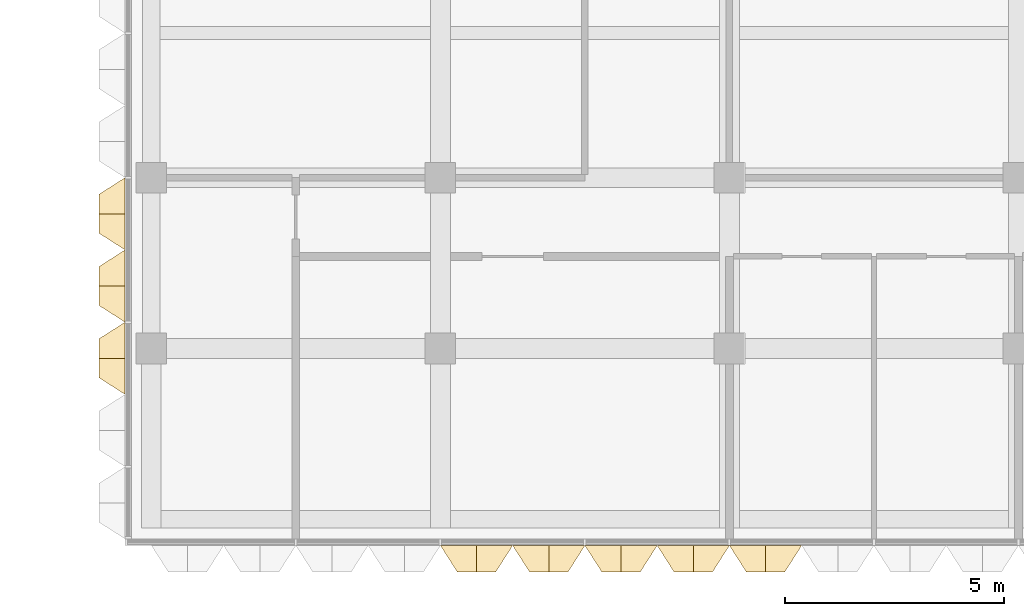
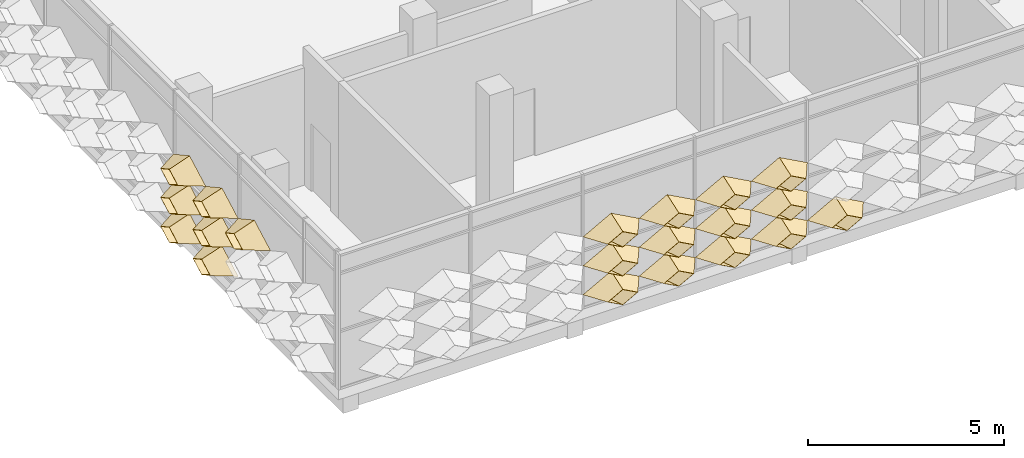
# One storey, part 32 of 61: 20 coverings.
"""IFC4 building model written with IfcOpenShell, lengths in metres."""

from ifc_helpers import new_model, entity, si_unit, direction, frame, origin, place, context, subcontext, project, spatial, material, layer, layer_set, type_object, element, save


model = new_model("IFC4")

# Units and contexts
model_context = context("Model", 3, precision=1e-05, world=origin(), true_north=direction((0.0, 1.0)))
body_context = subcontext(model_context, "Body", "Model", "MODEL_VIEW")
ifc_project = project(units=[si_unit("LENGTHUNIT", "METRE"), si_unit("AREAUNIT", "SQUARE_METRE"), si_unit("VOLUMEUNIT", "CUBIC_METRE"), si_unit("PLANEANGLEUNIT", "RADIAN"), si_unit("MASSUNIT", "GRAM", prefix="KILO")], contexts=[model_context])

# Site, building, storey
site_placement = place(None, origin())
site = spatial("IfcSite", under=ifc_project, at=site_placement, CompositionType="ELEMENT")
building_placement = place(site_placement, origin())
building = spatial("IfcBuilding", under=site, at=building_placement, Name="Lantern Court Research Institute", CompositionType="ELEMENT")
storey_placement = place(building_placement, frame((0.0, 0.0, 23.39990234375)))
storey = spatial("IfcBuildingStorey", under=building, at=storey_placement, Name="L05", CompositionType="ELEMENT", Elevation=23.39990234375)

# Coverings
ifc_material = material(Name="Anodised aluminium", Category="aluminium")
ifc_layer = layer(ifc_material, 0.01611328125)
ifc_layer_set = layer_set([ifc_layer], Name="Anodised aluminium")
covering_type = type_object("IfcCoveringType", Name="Fin cassette 1650 x 900 x 600 aluminium", PredefinedType="CLADDING", material=ifc_layer_set)
covering_1_placement = place(storey_placement, frame((7.425048828125, -8.39990234375, 0.4501953125), z_axis=(0.0, -1.0, 0.0), x_axis=(1.0, 0.0, 0.0)))
cartesian_point_1 = entity("IfcCartesianPoint", [0.824951171875, 0.0])
cartesian_point_2 = entity("IfcCartesianPoint", [0.79150390625, 0.0])
cartesian_point_3 = entity("IfcCartesianPoint", [0.44189453125, 0.0])
cartesian_point_4 = entity("IfcCartesianPoint", [0.43359375, 0.0])
element("IfcCovering", 1, at=covering_1_placement, inside=storey, type_object=covering_type, Name="Fin cassette V4S-L05 1.5", PredefinedType="CLADDING", context=body_context, shape_type="SweptSolid", body=[
    entity("IfcExtrudedAreaSolidTapered", entity("IfcArbitraryProfileDefWithVoids", "AREA", None, entity("IfcPolyline", [cartesian_point_1, entity("IfcCartesianPoint", [0.0, 0.449951171875]), entity("IfcCartesianPoint", [-0.824951171875, 0.0]), entity("IfcCartesianPoint", [0.0, -0.449951171875]), cartesian_point_1]), [entity("IfcPolyline", [cartesian_point_2, entity("IfcCartesianPoint", [0.0, 0.431884765625]), entity("IfcCartesianPoint", [-0.79150390625, 0.0]), entity("IfcCartesianPoint", [0.0, -0.431884765625]), cartesian_point_2])]), entity("IfcAxis2Placement3D", entity("IfcCartesianPoint", [0.0, 0.0, 0.0])), entity("IfcDirection", [0.0, 0.0, 1.0]), 0.60009765625, entity("IfcArbitraryProfileDefWithVoids", "AREA", None, entity("IfcPolyline", [cartesian_point_3, entity("IfcCartesianPoint", [0.0, 0.240966796875]), entity("IfcCartesianPoint", [-0.44189453125, 0.0]), entity("IfcCartesianPoint", [0.0, -0.240966796875]), cartesian_point_3]), [entity("IfcPolyline", [cartesian_point_4, entity("IfcCartesianPoint", [0.0, 0.236572265625]), entity("IfcCartesianPoint", [-0.43359375, 0.0]), entity("IfcCartesianPoint", [0.0, -0.236572265625]), cartesian_point_4])])),
])
covering_2_placement = place(storey_placement, frame((9.074951171875, -8.39990234375, 0.4501953125), z_axis=(0.0, -1.0, 0.0), x_axis=(1.0, 0.0, 0.0)))
cartesian_point_5 = entity("IfcCartesianPoint", [0.824951171875, 0.0])
cartesian_point_6 = entity("IfcCartesianPoint", [0.79150390625, 0.0])
cartesian_point_7 = entity("IfcCartesianPoint", [0.44189453125, 0.0])
cartesian_point_8 = entity("IfcCartesianPoint", [0.43359375, 0.0])
element("IfcCovering", 2, at=covering_2_placement, inside=storey, type_object=covering_type, Name="Fin cassette V4S-L05 1.6", PredefinedType="CLADDING", context=body_context, shape_type="SweptSolid", body=[
    entity("IfcExtrudedAreaSolidTapered", entity("IfcArbitraryProfileDefWithVoids", "AREA", None, entity("IfcPolyline", [cartesian_point_5, entity("IfcCartesianPoint", [0.0, 0.449951171875]), entity("IfcCartesianPoint", [-0.824951171875, 0.0]), entity("IfcCartesianPoint", [0.0, -0.449951171875]), cartesian_point_5]), [entity("IfcPolyline", [cartesian_point_6, entity("IfcCartesianPoint", [0.0, 0.431884765625]), entity("IfcCartesianPoint", [-0.79150390625, 0.0]), entity("IfcCartesianPoint", [0.0, -0.431884765625]), cartesian_point_6])]), entity("IfcAxis2Placement3D", entity("IfcCartesianPoint", [0.0, 0.0, 0.0])), entity("IfcDirection", [0.0, 0.0, 1.0]), 0.60009765625, entity("IfcArbitraryProfileDefWithVoids", "AREA", None, entity("IfcPolyline", [cartesian_point_7, entity("IfcCartesianPoint", [0.0, 0.240966796875]), entity("IfcCartesianPoint", [-0.44189453125, 0.0]), entity("IfcCartesianPoint", [0.0, -0.240966796875]), cartesian_point_7]), [entity("IfcPolyline", [cartesian_point_8, entity("IfcCartesianPoint", [0.0, 0.236572265625]), entity("IfcCartesianPoint", [-0.43359375, 0.0]), entity("IfcCartesianPoint", [0.0, -0.236572265625]), cartesian_point_8])])),
])
covering_3_placement = place(storey_placement, frame((10.72509765625, -8.39990234375, 0.4501953125), z_axis=(0.0, -1.0, 0.0), x_axis=(1.0, 0.0, 0.0)))
cartesian_point_9 = entity("IfcCartesianPoint", [0.824951171875, 0.0])
cartesian_point_10 = entity("IfcCartesianPoint", [0.79150390625, 0.0])
cartesian_point_11 = entity("IfcCartesianPoint", [0.44189453125, 0.0])
cartesian_point_12 = entity("IfcCartesianPoint", [0.43359375, 0.0])
element("IfcCovering", 3, at=covering_3_placement, inside=storey, type_object=covering_type, Name="Fin cassette V4S-L05 1.7", PredefinedType="CLADDING", context=body_context, shape_type="SweptSolid", body=[
    entity("IfcExtrudedAreaSolidTapered", entity("IfcArbitraryProfileDefWithVoids", "AREA", None, entity("IfcPolyline", [cartesian_point_9, entity("IfcCartesianPoint", [0.0, 0.449951171875]), entity("IfcCartesianPoint", [-0.824951171875, 0.0]), entity("IfcCartesianPoint", [0.0, -0.449951171875]), cartesian_point_9]), [entity("IfcPolyline", [cartesian_point_10, entity("IfcCartesianPoint", [0.0, 0.431884765625]), entity("IfcCartesianPoint", [-0.79150390625, 0.0]), entity("IfcCartesianPoint", [0.0, -0.431884765625]), cartesian_point_10])]), entity("IfcAxis2Placement3D", entity("IfcCartesianPoint", [0.0, 0.0, 0.0])), entity("IfcDirection", [0.0, 0.0, 1.0]), 0.60009765625, entity("IfcArbitraryProfileDefWithVoids", "AREA", None, entity("IfcPolyline", [cartesian_point_11, entity("IfcCartesianPoint", [0.0, 0.240966796875]), entity("IfcCartesianPoint", [-0.44189453125, 0.0]), entity("IfcCartesianPoint", [0.0, -0.240966796875]), cartesian_point_11]), [entity("IfcPolyline", [cartesian_point_12, entity("IfcCartesianPoint", [0.0, 0.236572265625]), entity("IfcCartesianPoint", [-0.43359375, 0.0]), entity("IfcCartesianPoint", [0.0, -0.236572265625]), cartesian_point_12])])),
])
covering_4_placement = place(storey_placement, frame((12.375, -8.39990234375, 0.4501953125), z_axis=(0.0, -1.0, 0.0), x_axis=(1.0, 0.0, 0.0)))
cartesian_point_13 = entity("IfcCartesianPoint", [0.824951171875, 0.0])
cartesian_point_14 = entity("IfcCartesianPoint", [0.79150390625, 0.0])
cartesian_point_15 = entity("IfcCartesianPoint", [0.44189453125, 0.0])
cartesian_point_16 = entity("IfcCartesianPoint", [0.43359375, 0.0])
element("IfcCovering", 4, at=covering_4_placement, inside=storey, type_object=covering_type, Name="Fin cassette V4S-L05 1.8", PredefinedType="CLADDING", context=body_context, shape_type="SweptSolid", body=[
    entity("IfcExtrudedAreaSolidTapered", entity("IfcArbitraryProfileDefWithVoids", "AREA", None, entity("IfcPolyline", [cartesian_point_13, entity("IfcCartesianPoint", [0.0, 0.449951171875]), entity("IfcCartesianPoint", [-0.824951171875, 0.0]), entity("IfcCartesianPoint", [0.0, -0.449951171875]), cartesian_point_13]), [entity("IfcPolyline", [cartesian_point_14, entity("IfcCartesianPoint", [0.0, 0.431884765625]), entity("IfcCartesianPoint", [-0.79150390625, 0.0]), entity("IfcCartesianPoint", [0.0, -0.431884765625]), cartesian_point_14])]), entity("IfcAxis2Placement3D", entity("IfcCartesianPoint", [0.0, 0.0, 0.0])), entity("IfcDirection", [0.0, 0.0, 1.0]), 0.60009765625, entity("IfcArbitraryProfileDefWithVoids", "AREA", None, entity("IfcPolyline", [cartesian_point_15, entity("IfcCartesianPoint", [0.0, 0.240966796875]), entity("IfcCartesianPoint", [-0.44189453125, 0.0]), entity("IfcCartesianPoint", [0.0, -0.240966796875]), cartesian_point_15]), [entity("IfcPolyline", [cartesian_point_16, entity("IfcCartesianPoint", [0.0, 0.236572265625]), entity("IfcCartesianPoint", [-0.43359375, 0.0]), entity("IfcCartesianPoint", [0.0, -0.236572265625]), cartesian_point_16])])),
])
covering_5_placement = place(storey_placement, frame((14.02490234375, -8.39990234375, 0.4501953125), z_axis=(0.0, -1.0, 0.0), x_axis=(1.0, 0.0, 0.0)))
cartesian_point_17 = entity("IfcCartesianPoint", [0.824951171875, 0.0])
cartesian_point_18 = entity("IfcCartesianPoint", [0.79150390625, 0.0])
cartesian_point_19 = entity("IfcCartesianPoint", [0.44189453125, 0.0])
cartesian_point_20 = entity("IfcCartesianPoint", [0.43359375, 0.0])
element("IfcCovering", 5, at=covering_5_placement, inside=storey, type_object=covering_type, Name="Fin cassette V4S-L05 1.9", PredefinedType="CLADDING", context=body_context, shape_type="SweptSolid", body=[
    entity("IfcExtrudedAreaSolidTapered", entity("IfcArbitraryProfileDefWithVoids", "AREA", None, entity("IfcPolyline", [cartesian_point_17, entity("IfcCartesianPoint", [0.0, 0.449951171875]), entity("IfcCartesianPoint", [-0.824951171875, 0.0]), entity("IfcCartesianPoint", [0.0, -0.449951171875]), cartesian_point_17]), [entity("IfcPolyline", [cartesian_point_18, entity("IfcCartesianPoint", [0.0, 0.431884765625]), entity("IfcCartesianPoint", [-0.79150390625, 0.0]), entity("IfcCartesianPoint", [0.0, -0.431884765625]), cartesian_point_18])]), entity("IfcAxis2Placement3D", entity("IfcCartesianPoint", [0.0, 0.0, 0.0])), entity("IfcDirection", [0.0, 0.0, 1.0]), 0.60009765625, entity("IfcArbitraryProfileDefWithVoids", "AREA", None, entity("IfcPolyline", [cartesian_point_19, entity("IfcCartesianPoint", [0.0, 0.240966796875]), entity("IfcCartesianPoint", [-0.44189453125, 0.0]), entity("IfcCartesianPoint", [0.0, -0.240966796875]), cartesian_point_19]), [entity("IfcPolyline", [cartesian_point_20, entity("IfcCartesianPoint", [0.0, 0.236572265625]), entity("IfcCartesianPoint", [-0.43359375, 0.0]), entity("IfcCartesianPoint", [0.0, -0.236572265625]), cartesian_point_20])])),
])
covering_6_placement = place(storey_placement, frame((7.425048828125, -8.39990234375, 1.35009765625), z_axis=(0.0, -1.0, 0.0), x_axis=(1.0, 0.0, 0.0)))
cartesian_point_21 = entity("IfcCartesianPoint", [0.824951171875, 0.0])
cartesian_point_22 = entity("IfcCartesianPoint", [0.79150390625, 0.0])
cartesian_point_23 = entity("IfcCartesianPoint", [0.44189453125, 0.0])
cartesian_point_24 = entity("IfcCartesianPoint", [0.43359375, 0.0])
element("IfcCovering", 6, at=covering_6_placement, inside=storey, type_object=covering_type, Name="Fin cassette V4S-L05 2.5", PredefinedType="CLADDING", context=body_context, shape_type="SweptSolid", body=[
    entity("IfcExtrudedAreaSolidTapered", entity("IfcArbitraryProfileDefWithVoids", "AREA", None, entity("IfcPolyline", [cartesian_point_21, entity("IfcCartesianPoint", [0.0, 0.449951171875]), entity("IfcCartesianPoint", [-0.824951171875, 0.0]), entity("IfcCartesianPoint", [0.0, -0.449951171875]), cartesian_point_21]), [entity("IfcPolyline", [cartesian_point_22, entity("IfcCartesianPoint", [0.0, 0.431884765625]), entity("IfcCartesianPoint", [-0.79150390625, 0.0]), entity("IfcCartesianPoint", [0.0, -0.431884765625]), cartesian_point_22])]), entity("IfcAxis2Placement3D", entity("IfcCartesianPoint", [0.0, 0.0, 0.0])), entity("IfcDirection", [0.0, 0.0, 1.0]), 0.60009765625, entity("IfcArbitraryProfileDefWithVoids", "AREA", None, entity("IfcPolyline", [cartesian_point_23, entity("IfcCartesianPoint", [0.0, 0.240966796875]), entity("IfcCartesianPoint", [-0.44189453125, 0.0]), entity("IfcCartesianPoint", [0.0, -0.240966796875]), cartesian_point_23]), [entity("IfcPolyline", [cartesian_point_24, entity("IfcCartesianPoint", [0.0, 0.236572265625]), entity("IfcCartesianPoint", [-0.43359375, 0.0]), entity("IfcCartesianPoint", [0.0, -0.236572265625]), cartesian_point_24])])),
])
covering_7_placement = place(storey_placement, frame((9.074951171875, -8.39990234375, 1.35009765625), z_axis=(0.0, -1.0, 0.0), x_axis=(1.0, 0.0, 0.0)))
cartesian_point_25 = entity("IfcCartesianPoint", [0.824951171875, 0.0])
cartesian_point_26 = entity("IfcCartesianPoint", [0.79150390625, 0.0])
cartesian_point_27 = entity("IfcCartesianPoint", [0.44189453125, 0.0])
cartesian_point_28 = entity("IfcCartesianPoint", [0.43359375, 0.0])
element("IfcCovering", 7, at=covering_7_placement, inside=storey, type_object=covering_type, Name="Fin cassette V4S-L05 2.6", PredefinedType="CLADDING", context=body_context, shape_type="SweptSolid", body=[
    entity("IfcExtrudedAreaSolidTapered", entity("IfcArbitraryProfileDefWithVoids", "AREA", None, entity("IfcPolyline", [cartesian_point_25, entity("IfcCartesianPoint", [0.0, 0.449951171875]), entity("IfcCartesianPoint", [-0.824951171875, 0.0]), entity("IfcCartesianPoint", [0.0, -0.449951171875]), cartesian_point_25]), [entity("IfcPolyline", [cartesian_point_26, entity("IfcCartesianPoint", [0.0, 0.431884765625]), entity("IfcCartesianPoint", [-0.79150390625, 0.0]), entity("IfcCartesianPoint", [0.0, -0.431884765625]), cartesian_point_26])]), entity("IfcAxis2Placement3D", entity("IfcCartesianPoint", [0.0, 0.0, 0.0])), entity("IfcDirection", [0.0, 0.0, 1.0]), 0.60009765625, entity("IfcArbitraryProfileDefWithVoids", "AREA", None, entity("IfcPolyline", [cartesian_point_27, entity("IfcCartesianPoint", [0.0, 0.240966796875]), entity("IfcCartesianPoint", [-0.44189453125, 0.0]), entity("IfcCartesianPoint", [0.0, -0.240966796875]), cartesian_point_27]), [entity("IfcPolyline", [cartesian_point_28, entity("IfcCartesianPoint", [0.0, 0.236572265625]), entity("IfcCartesianPoint", [-0.43359375, 0.0]), entity("IfcCartesianPoint", [0.0, -0.236572265625]), cartesian_point_28])])),
])
covering_8_placement = place(storey_placement, frame((10.72509765625, -8.39990234375, 1.35009765625), z_axis=(0.0, -1.0, 0.0), x_axis=(1.0, 0.0, 0.0)))
cartesian_point_29 = entity("IfcCartesianPoint", [0.824951171875, 0.0])
cartesian_point_30 = entity("IfcCartesianPoint", [0.79150390625, 0.0])
cartesian_point_31 = entity("IfcCartesianPoint", [0.44189453125, 0.0])
cartesian_point_32 = entity("IfcCartesianPoint", [0.43359375, 0.0])
element("IfcCovering", 8, at=covering_8_placement, inside=storey, type_object=covering_type, Name="Fin cassette V4S-L05 2.7", PredefinedType="CLADDING", context=body_context, shape_type="SweptSolid", body=[
    entity("IfcExtrudedAreaSolidTapered", entity("IfcArbitraryProfileDefWithVoids", "AREA", None, entity("IfcPolyline", [cartesian_point_29, entity("IfcCartesianPoint", [0.0, 0.449951171875]), entity("IfcCartesianPoint", [-0.824951171875, 0.0]), entity("IfcCartesianPoint", [0.0, -0.449951171875]), cartesian_point_29]), [entity("IfcPolyline", [cartesian_point_30, entity("IfcCartesianPoint", [0.0, 0.431884765625]), entity("IfcCartesianPoint", [-0.79150390625, 0.0]), entity("IfcCartesianPoint", [0.0, -0.431884765625]), cartesian_point_30])]), entity("IfcAxis2Placement3D", entity("IfcCartesianPoint", [0.0, 0.0, 0.0])), entity("IfcDirection", [0.0, 0.0, 1.0]), 0.60009765625, entity("IfcArbitraryProfileDefWithVoids", "AREA", None, entity("IfcPolyline", [cartesian_point_31, entity("IfcCartesianPoint", [0.0, 0.240966796875]), entity("IfcCartesianPoint", [-0.44189453125, 0.0]), entity("IfcCartesianPoint", [0.0, -0.240966796875]), cartesian_point_31]), [entity("IfcPolyline", [cartesian_point_32, entity("IfcCartesianPoint", [0.0, 0.236572265625]), entity("IfcCartesianPoint", [-0.43359375, 0.0]), entity("IfcCartesianPoint", [0.0, -0.236572265625]), cartesian_point_32])])),
])
covering_9_placement = place(storey_placement, frame((12.375, -8.39990234375, 1.35009765625), z_axis=(0.0, -1.0, 0.0), x_axis=(1.0, 0.0, 0.0)))
cartesian_point_33 = entity("IfcCartesianPoint", [0.824951171875, 0.0])
cartesian_point_34 = entity("IfcCartesianPoint", [0.79150390625, 0.0])
cartesian_point_35 = entity("IfcCartesianPoint", [0.44189453125, 0.0])
cartesian_point_36 = entity("IfcCartesianPoint", [0.43359375, 0.0])
element("IfcCovering", 9, at=covering_9_placement, inside=storey, type_object=covering_type, Name="Fin cassette V4S-L05 2.8", PredefinedType="CLADDING", context=body_context, shape_type="SweptSolid", body=[
    entity("IfcExtrudedAreaSolidTapered", entity("IfcArbitraryProfileDefWithVoids", "AREA", None, entity("IfcPolyline", [cartesian_point_33, entity("IfcCartesianPoint", [0.0, 0.449951171875]), entity("IfcCartesianPoint", [-0.824951171875, 0.0]), entity("IfcCartesianPoint", [0.0, -0.449951171875]), cartesian_point_33]), [entity("IfcPolyline", [cartesian_point_34, entity("IfcCartesianPoint", [0.0, 0.431884765625]), entity("IfcCartesianPoint", [-0.79150390625, 0.0]), entity("IfcCartesianPoint", [0.0, -0.431884765625]), cartesian_point_34])]), entity("IfcAxis2Placement3D", entity("IfcCartesianPoint", [0.0, 0.0, 0.0])), entity("IfcDirection", [0.0, 0.0, 1.0]), 0.60009765625, entity("IfcArbitraryProfileDefWithVoids", "AREA", None, entity("IfcPolyline", [cartesian_point_35, entity("IfcCartesianPoint", [0.0, 0.240966796875]), entity("IfcCartesianPoint", [-0.44189453125, 0.0]), entity("IfcCartesianPoint", [0.0, -0.240966796875]), cartesian_point_35]), [entity("IfcPolyline", [cartesian_point_36, entity("IfcCartesianPoint", [0.0, 0.236572265625]), entity("IfcCartesianPoint", [-0.43359375, 0.0]), entity("IfcCartesianPoint", [0.0, -0.236572265625]), cartesian_point_36])])),
])
covering_10_placement = place(storey_placement, frame((7.425048828125, -8.39990234375, 2.25), z_axis=(0.0, -1.0, 0.0), x_axis=(1.0, 0.0, 0.0)))
cartesian_point_37 = entity("IfcCartesianPoint", [0.824951171875, 0.0])
cartesian_point_38 = entity("IfcCartesianPoint", [0.79150390625, 0.0])
cartesian_point_39 = entity("IfcCartesianPoint", [0.44189453125, 0.0])
cartesian_point_40 = entity("IfcCartesianPoint", [0.43359375, 0.0])
element("IfcCovering", 10, at=covering_10_placement, inside=storey, type_object=covering_type, Name="Fin cassette V4S-L05 3.5", PredefinedType="CLADDING", context=body_context, shape_type="SweptSolid", body=[
    entity("IfcExtrudedAreaSolidTapered", entity("IfcArbitraryProfileDefWithVoids", "AREA", None, entity("IfcPolyline", [cartesian_point_37, entity("IfcCartesianPoint", [0.0, 0.449951171875]), entity("IfcCartesianPoint", [-0.824951171875, 0.0]), entity("IfcCartesianPoint", [0.0, -0.449951171875]), cartesian_point_37]), [entity("IfcPolyline", [cartesian_point_38, entity("IfcCartesianPoint", [0.0, 0.431884765625]), entity("IfcCartesianPoint", [-0.79150390625, 0.0]), entity("IfcCartesianPoint", [0.0, -0.431884765625]), cartesian_point_38])]), entity("IfcAxis2Placement3D", entity("IfcCartesianPoint", [0.0, 0.0, 0.0])), entity("IfcDirection", [0.0, 0.0, 1.0]), 0.60009765625, entity("IfcArbitraryProfileDefWithVoids", "AREA", None, entity("IfcPolyline", [cartesian_point_39, entity("IfcCartesianPoint", [0.0, 0.240966796875]), entity("IfcCartesianPoint", [-0.44189453125, 0.0]), entity("IfcCartesianPoint", [0.0, -0.240966796875]), cartesian_point_39]), [entity("IfcPolyline", [cartesian_point_40, entity("IfcCartesianPoint", [0.0, 0.236572265625]), entity("IfcCartesianPoint", [-0.43359375, 0.0]), entity("IfcCartesianPoint", [0.0, -0.236572265625]), cartesian_point_40])])),
])
covering_11_placement = place(storey_placement, frame((9.074951171875, -8.39990234375, 2.25), z_axis=(0.0, -1.0, 0.0), x_axis=(1.0, 0.0, 0.0)))
cartesian_point_41 = entity("IfcCartesianPoint", [0.824951171875, 0.0])
cartesian_point_42 = entity("IfcCartesianPoint", [0.79150390625, 0.0])
cartesian_point_43 = entity("IfcCartesianPoint", [0.44189453125, 0.0])
cartesian_point_44 = entity("IfcCartesianPoint", [0.43359375, 0.0])
element("IfcCovering", 11, at=covering_11_placement, inside=storey, type_object=covering_type, Name="Fin cassette V4S-L05 3.6", PredefinedType="CLADDING", context=body_context, shape_type="SweptSolid", body=[
    entity("IfcExtrudedAreaSolidTapered", entity("IfcArbitraryProfileDefWithVoids", "AREA", None, entity("IfcPolyline", [cartesian_point_41, entity("IfcCartesianPoint", [0.0, 0.449951171875]), entity("IfcCartesianPoint", [-0.824951171875, 0.0]), entity("IfcCartesianPoint", [0.0, -0.449951171875]), cartesian_point_41]), [entity("IfcPolyline", [cartesian_point_42, entity("IfcCartesianPoint", [0.0, 0.431884765625]), entity("IfcCartesianPoint", [-0.79150390625, 0.0]), entity("IfcCartesianPoint", [0.0, -0.431884765625]), cartesian_point_42])]), entity("IfcAxis2Placement3D", entity("IfcCartesianPoint", [0.0, 0.0, 0.0])), entity("IfcDirection", [0.0, 0.0, 1.0]), 0.60009765625, entity("IfcArbitraryProfileDefWithVoids", "AREA", None, entity("IfcPolyline", [cartesian_point_43, entity("IfcCartesianPoint", [0.0, 0.240966796875]), entity("IfcCartesianPoint", [-0.44189453125, 0.0]), entity("IfcCartesianPoint", [0.0, -0.240966796875]), cartesian_point_43]), [entity("IfcPolyline", [cartesian_point_44, entity("IfcCartesianPoint", [0.0, 0.236572265625]), entity("IfcCartesianPoint", [-0.43359375, 0.0]), entity("IfcCartesianPoint", [0.0, -0.236572265625]), cartesian_point_44])])),
])
covering_12_placement = place(storey_placement, frame((10.72509765625, -8.39990234375, 2.25), z_axis=(0.0, -1.0, 0.0), x_axis=(1.0, 0.0, 0.0)))
cartesian_point_45 = entity("IfcCartesianPoint", [0.824951171875, 0.0])
cartesian_point_46 = entity("IfcCartesianPoint", [0.79150390625, 0.0])
cartesian_point_47 = entity("IfcCartesianPoint", [0.44189453125, 0.0])
cartesian_point_48 = entity("IfcCartesianPoint", [0.43359375, 0.0])
element("IfcCovering", 12, at=covering_12_placement, inside=storey, type_object=covering_type, Name="Fin cassette V4S-L05 3.7", PredefinedType="CLADDING", context=body_context, shape_type="SweptSolid", body=[
    entity("IfcExtrudedAreaSolidTapered", entity("IfcArbitraryProfileDefWithVoids", "AREA", None, entity("IfcPolyline", [cartesian_point_45, entity("IfcCartesianPoint", [0.0, 0.449951171875]), entity("IfcCartesianPoint", [-0.824951171875, 0.0]), entity("IfcCartesianPoint", [0.0, -0.449951171875]), cartesian_point_45]), [entity("IfcPolyline", [cartesian_point_46, entity("IfcCartesianPoint", [0.0, 0.431884765625]), entity("IfcCartesianPoint", [-0.79150390625, 0.0]), entity("IfcCartesianPoint", [0.0, -0.431884765625]), cartesian_point_46])]), entity("IfcAxis2Placement3D", entity("IfcCartesianPoint", [0.0, 0.0, 0.0])), entity("IfcDirection", [0.0, 0.0, 1.0]), 0.60009765625, entity("IfcArbitraryProfileDefWithVoids", "AREA", None, entity("IfcPolyline", [cartesian_point_47, entity("IfcCartesianPoint", [0.0, 0.240966796875]), entity("IfcCartesianPoint", [-0.44189453125, 0.0]), entity("IfcCartesianPoint", [0.0, -0.240966796875]), cartesian_point_47]), [entity("IfcPolyline", [cartesian_point_48, entity("IfcCartesianPoint", [0.0, 0.236572265625]), entity("IfcCartesianPoint", [-0.43359375, 0.0]), entity("IfcCartesianPoint", [0.0, -0.236572265625]), cartesian_point_48])])),
])
covering_13_placement = place(storey_placement, frame((12.375, -8.39990234375, 2.25), z_axis=(0.0, -1.0, 0.0), x_axis=(1.0, 0.0, 0.0)))
cartesian_point_49 = entity("IfcCartesianPoint", [0.824951171875, 0.0])
cartesian_point_50 = entity("IfcCartesianPoint", [0.79150390625, 0.0])
cartesian_point_51 = entity("IfcCartesianPoint", [0.44189453125, 0.0])
cartesian_point_52 = entity("IfcCartesianPoint", [0.43359375, 0.0])
element("IfcCovering", 13, at=covering_13_placement, inside=storey, type_object=covering_type, Name="Fin cassette V4S-L05 3.8", PredefinedType="CLADDING", context=body_context, shape_type="SweptSolid", body=[
    entity("IfcExtrudedAreaSolidTapered", entity("IfcArbitraryProfileDefWithVoids", "AREA", None, entity("IfcPolyline", [cartesian_point_49, entity("IfcCartesianPoint", [0.0, 0.449951171875]), entity("IfcCartesianPoint", [-0.824951171875, 0.0]), entity("IfcCartesianPoint", [0.0, -0.449951171875]), cartesian_point_49]), [entity("IfcPolyline", [cartesian_point_50, entity("IfcCartesianPoint", [0.0, 0.431884765625]), entity("IfcCartesianPoint", [-0.79150390625, 0.0]), entity("IfcCartesianPoint", [0.0, -0.431884765625]), cartesian_point_50])]), entity("IfcAxis2Placement3D", entity("IfcCartesianPoint", [0.0, 0.0, 0.0])), entity("IfcDirection", [0.0, 0.0, 1.0]), 0.60009765625, entity("IfcArbitraryProfileDefWithVoids", "AREA", None, entity("IfcPolyline", [cartesian_point_51, entity("IfcCartesianPoint", [0.0, 0.240966796875]), entity("IfcCartesianPoint", [-0.44189453125, 0.0]), entity("IfcCartesianPoint", [0.0, -0.240966796875]), cartesian_point_51]), [entity("IfcPolyline", [cartesian_point_52, entity("IfcCartesianPoint", [0.0, 0.236572265625]), entity("IfcCartesianPoint", [-0.43359375, 0.0]), entity("IfcCartesianPoint", [0.0, -0.236572265625]), cartesian_point_52])])),
])
covering_14_placement = place(storey_placement, frame((-0.60009765625, -2.47509765625, 0.4501953125), z_axis=(-1.0, 0.0, 0.0), x_axis=(0.0, -1.0, 0.0)))
cartesian_point_53 = entity("IfcCartesianPoint", [0.824951171875, 0.0])
cartesian_point_54 = entity("IfcCartesianPoint", [0.79150390625, 0.0])
cartesian_point_55 = entity("IfcCartesianPoint", [0.44189453125, 0.0])
cartesian_point_56 = entity("IfcCartesianPoint", [0.43359375, 0.0])
element("IfcCovering", 14, at=covering_14_placement, inside=storey, type_object=covering_type, Name="Fin cassette V4W-L05 1.-1", PredefinedType="CLADDING", context=body_context, shape_type="SweptSolid", body=[
    entity("IfcExtrudedAreaSolidTapered", entity("IfcArbitraryProfileDefWithVoids", "AREA", None, entity("IfcPolyline", [cartesian_point_53, entity("IfcCartesianPoint", [0.0, 0.449951171875]), entity("IfcCartesianPoint", [-0.824951171875, 0.0]), entity("IfcCartesianPoint", [0.0, -0.449951171875]), cartesian_point_53]), [entity("IfcPolyline", [cartesian_point_54, entity("IfcCartesianPoint", [0.0, 0.431884765625]), entity("IfcCartesianPoint", [-0.79150390625, 0.0]), entity("IfcCartesianPoint", [0.0, -0.431884765625]), cartesian_point_54])]), entity("IfcAxis2Placement3D", entity("IfcCartesianPoint", [0.0, 0.0, 0.0])), entity("IfcDirection", [0.0, 0.0, 1.0]), 0.60009765625, entity("IfcArbitraryProfileDefWithVoids", "AREA", None, entity("IfcPolyline", [cartesian_point_55, entity("IfcCartesianPoint", [0.0, 0.240966796875]), entity("IfcCartesianPoint", [-0.44189453125, 0.0]), entity("IfcCartesianPoint", [0.0, -0.240966796875]), cartesian_point_55]), [entity("IfcPolyline", [cartesian_point_56, entity("IfcCartesianPoint", [0.0, 0.236572265625]), entity("IfcCartesianPoint", [-0.43359375, 0.0]), entity("IfcCartesianPoint", [0.0, -0.236572265625]), cartesian_point_56])])),
])
covering_15_placement = place(storey_placement, frame((-0.60009765625, -0.824951171875, 0.4501953125), z_axis=(-1.0, 0.0, 0.0), x_axis=(0.0, -1.0, 0.0)))
cartesian_point_57 = entity("IfcCartesianPoint", [0.824951171875, 0.0])
cartesian_point_58 = entity("IfcCartesianPoint", [0.79150390625, 0.0])
cartesian_point_59 = entity("IfcCartesianPoint", [0.44189453125, 0.0])
cartesian_point_60 = entity("IfcCartesianPoint", [0.43359375, 0.0])
element("IfcCovering", 15, at=covering_15_placement, inside=storey, type_object=covering_type, Name="Fin cassette V4W-L05 1.0", PredefinedType="CLADDING", context=body_context, shape_type="SweptSolid", body=[
    entity("IfcExtrudedAreaSolidTapered", entity("IfcArbitraryProfileDefWithVoids", "AREA", None, entity("IfcPolyline", [cartesian_point_57, entity("IfcCartesianPoint", [0.0, 0.449951171875]), entity("IfcCartesianPoint", [-0.824951171875, 0.0]), entity("IfcCartesianPoint", [0.0, -0.449951171875]), cartesian_point_57]), [entity("IfcPolyline", [cartesian_point_58, entity("IfcCartesianPoint", [0.0, 0.431884765625]), entity("IfcCartesianPoint", [-0.79150390625, 0.0]), entity("IfcCartesianPoint", [0.0, -0.431884765625]), cartesian_point_58])]), entity("IfcAxis2Placement3D", entity("IfcCartesianPoint", [0.0, 0.0, 0.0])), entity("IfcDirection", [0.0, 0.0, 1.0]), 0.60009765625, entity("IfcArbitraryProfileDefWithVoids", "AREA", None, entity("IfcPolyline", [cartesian_point_59, entity("IfcCartesianPoint", [0.0, 0.240966796875]), entity("IfcCartesianPoint", [-0.44189453125, 0.0]), entity("IfcCartesianPoint", [0.0, -0.240966796875]), cartesian_point_59]), [entity("IfcPolyline", [cartesian_point_60, entity("IfcCartesianPoint", [0.0, 0.236572265625]), entity("IfcCartesianPoint", [-0.43359375, 0.0]), entity("IfcCartesianPoint", [0.0, -0.236572265625]), cartesian_point_60])])),
])
covering_16_placement = place(storey_placement, frame((-0.60009765625, -2.47509765625, 1.35009765625), z_axis=(-1.0, 0.0, 0.0), x_axis=(0.0, -1.0, 0.0)))
cartesian_point_61 = entity("IfcCartesianPoint", [0.824951171875, 0.0])
cartesian_point_62 = entity("IfcCartesianPoint", [0.79150390625, 0.0])
cartesian_point_63 = entity("IfcCartesianPoint", [0.44189453125, 0.0])
cartesian_point_64 = entity("IfcCartesianPoint", [0.43359375, 0.0])
element("IfcCovering", 16, at=covering_16_placement, inside=storey, type_object=covering_type, Name="Fin cassette V4W-L05 2.-1", PredefinedType="CLADDING", context=body_context, shape_type="SweptSolid", body=[
    entity("IfcExtrudedAreaSolidTapered", entity("IfcArbitraryProfileDefWithVoids", "AREA", None, entity("IfcPolyline", [cartesian_point_61, entity("IfcCartesianPoint", [0.0, 0.449951171875]), entity("IfcCartesianPoint", [-0.824951171875, 0.0]), entity("IfcCartesianPoint", [0.0, -0.449951171875]), cartesian_point_61]), [entity("IfcPolyline", [cartesian_point_62, entity("IfcCartesianPoint", [0.0, 0.431884765625]), entity("IfcCartesianPoint", [-0.79150390625, 0.0]), entity("IfcCartesianPoint", [0.0, -0.431884765625]), cartesian_point_62])]), entity("IfcAxis2Placement3D", entity("IfcCartesianPoint", [0.0, 0.0, 0.0])), entity("IfcDirection", [0.0, 0.0, 1.0]), 0.60009765625, entity("IfcArbitraryProfileDefWithVoids", "AREA", None, entity("IfcPolyline", [cartesian_point_63, entity("IfcCartesianPoint", [0.0, 0.240966796875]), entity("IfcCartesianPoint", [-0.44189453125, 0.0]), entity("IfcCartesianPoint", [0.0, -0.240966796875]), cartesian_point_63]), [entity("IfcPolyline", [cartesian_point_64, entity("IfcCartesianPoint", [0.0, 0.236572265625]), entity("IfcCartesianPoint", [-0.43359375, 0.0]), entity("IfcCartesianPoint", [0.0, -0.236572265625]), cartesian_point_64])])),
])
covering_17_placement = place(storey_placement, frame((-0.60009765625, -0.824951171875, 1.35009765625), z_axis=(-1.0, 0.0, 0.0), x_axis=(0.0, -1.0, 0.0)))
cartesian_point_65 = entity("IfcCartesianPoint", [0.824951171875, 0.0])
cartesian_point_66 = entity("IfcCartesianPoint", [0.79150390625, 0.0])
cartesian_point_67 = entity("IfcCartesianPoint", [0.44189453125, 0.0])
cartesian_point_68 = entity("IfcCartesianPoint", [0.43359375, 0.0])
element("IfcCovering", 17, at=covering_17_placement, inside=storey, type_object=covering_type, Name="Fin cassette V4W-L05 2.0", PredefinedType="CLADDING", context=body_context, shape_type="SweptSolid", body=[
    entity("IfcExtrudedAreaSolidTapered", entity("IfcArbitraryProfileDefWithVoids", "AREA", None, entity("IfcPolyline", [cartesian_point_65, entity("IfcCartesianPoint", [0.0, 0.449951171875]), entity("IfcCartesianPoint", [-0.824951171875, 0.0]), entity("IfcCartesianPoint", [0.0, -0.449951171875]), cartesian_point_65]), [entity("IfcPolyline", [cartesian_point_66, entity("IfcCartesianPoint", [0.0, 0.431884765625]), entity("IfcCartesianPoint", [-0.79150390625, 0.0]), entity("IfcCartesianPoint", [0.0, -0.431884765625]), cartesian_point_66])]), entity("IfcAxis2Placement3D", entity("IfcCartesianPoint", [0.0, 0.0, 0.0])), entity("IfcDirection", [0.0, 0.0, 1.0]), 0.60009765625, entity("IfcArbitraryProfileDefWithVoids", "AREA", None, entity("IfcPolyline", [cartesian_point_67, entity("IfcCartesianPoint", [0.0, 0.240966796875]), entity("IfcCartesianPoint", [-0.44189453125, 0.0]), entity("IfcCartesianPoint", [0.0, -0.240966796875]), cartesian_point_67]), [entity("IfcPolyline", [cartesian_point_68, entity("IfcCartesianPoint", [0.0, 0.236572265625]), entity("IfcCartesianPoint", [-0.43359375, 0.0]), entity("IfcCartesianPoint", [0.0, -0.236572265625]), cartesian_point_68])])),
])
covering_18_placement = place(storey_placement, frame((-0.60009765625, -4.125, 2.25), z_axis=(-1.0, 0.0, 0.0), x_axis=(0.0, -1.0, 0.0)))
cartesian_point_69 = entity("IfcCartesianPoint", [0.824951171875, 0.0])
cartesian_point_70 = entity("IfcCartesianPoint", [0.79150390625, 0.0])
cartesian_point_71 = entity("IfcCartesianPoint", [0.44189453125, 0.0])
cartesian_point_72 = entity("IfcCartesianPoint", [0.43359375, 0.0])
element("IfcCovering", 18, at=covering_18_placement, inside=storey, type_object=covering_type, Name="Fin cassette V4W-L05 3.-2", PredefinedType="CLADDING", context=body_context, shape_type="SweptSolid", body=[
    entity("IfcExtrudedAreaSolidTapered", entity("IfcArbitraryProfileDefWithVoids", "AREA", None, entity("IfcPolyline", [cartesian_point_69, entity("IfcCartesianPoint", [0.0, 0.449951171875]), entity("IfcCartesianPoint", [-0.824951171875, 0.0]), entity("IfcCartesianPoint", [0.0, -0.449951171875]), cartesian_point_69]), [entity("IfcPolyline", [cartesian_point_70, entity("IfcCartesianPoint", [0.0, 0.431884765625]), entity("IfcCartesianPoint", [-0.79150390625, 0.0]), entity("IfcCartesianPoint", [0.0, -0.431884765625]), cartesian_point_70])]), entity("IfcAxis2Placement3D", entity("IfcCartesianPoint", [0.0, 0.0, 0.0])), entity("IfcDirection", [0.0, 0.0, 1.0]), 0.60009765625, entity("IfcArbitraryProfileDefWithVoids", "AREA", None, entity("IfcPolyline", [cartesian_point_71, entity("IfcCartesianPoint", [0.0, 0.240966796875]), entity("IfcCartesianPoint", [-0.44189453125, 0.0]), entity("IfcCartesianPoint", [0.0, -0.240966796875]), cartesian_point_71]), [entity("IfcPolyline", [cartesian_point_72, entity("IfcCartesianPoint", [0.0, 0.236572265625]), entity("IfcCartesianPoint", [-0.43359375, 0.0]), entity("IfcCartesianPoint", [0.0, -0.236572265625]), cartesian_point_72])])),
])
covering_19_placement = place(storey_placement, frame((-0.60009765625, -2.47509765625, 2.25), z_axis=(-1.0, 0.0, 0.0), x_axis=(0.0, -1.0, 0.0)))
cartesian_point_73 = entity("IfcCartesianPoint", [0.824951171875, 0.0])
cartesian_point_74 = entity("IfcCartesianPoint", [0.79150390625, 0.0])
cartesian_point_75 = entity("IfcCartesianPoint", [0.44189453125, 0.0])
cartesian_point_76 = entity("IfcCartesianPoint", [0.43359375, 0.0])
element("IfcCovering", 19, at=covering_19_placement, inside=storey, type_object=covering_type, Name="Fin cassette V4W-L05 3.-1", PredefinedType="CLADDING", context=body_context, shape_type="SweptSolid", body=[
    entity("IfcExtrudedAreaSolidTapered", entity("IfcArbitraryProfileDefWithVoids", "AREA", None, entity("IfcPolyline", [cartesian_point_73, entity("IfcCartesianPoint", [0.0, 0.449951171875]), entity("IfcCartesianPoint", [-0.824951171875, 0.0]), entity("IfcCartesianPoint", [0.0, -0.449951171875]), cartesian_point_73]), [entity("IfcPolyline", [cartesian_point_74, entity("IfcCartesianPoint", [0.0, 0.431884765625]), entity("IfcCartesianPoint", [-0.79150390625, 0.0]), entity("IfcCartesianPoint", [0.0, -0.431884765625]), cartesian_point_74])]), entity("IfcAxis2Placement3D", entity("IfcCartesianPoint", [0.0, 0.0, 0.0])), entity("IfcDirection", [0.0, 0.0, 1.0]), 0.60009765625, entity("IfcArbitraryProfileDefWithVoids", "AREA", None, entity("IfcPolyline", [cartesian_point_75, entity("IfcCartesianPoint", [0.0, 0.240966796875]), entity("IfcCartesianPoint", [-0.44189453125, 0.0]), entity("IfcCartesianPoint", [0.0, -0.240966796875]), cartesian_point_75]), [entity("IfcPolyline", [cartesian_point_76, entity("IfcCartesianPoint", [0.0, 0.236572265625]), entity("IfcCartesianPoint", [-0.43359375, 0.0]), entity("IfcCartesianPoint", [0.0, -0.236572265625]), cartesian_point_76])])),
])
covering_20_placement = place(storey_placement, frame((-0.60009765625, -0.824951171875, 2.25), z_axis=(-1.0, 0.0, 0.0), x_axis=(0.0, -1.0, 0.0)))
cartesian_point_77 = entity("IfcCartesianPoint", [0.824951171875, 0.0])
cartesian_point_78 = entity("IfcCartesianPoint", [0.79150390625, 0.0])
cartesian_point_79 = entity("IfcCartesianPoint", [0.44189453125, 0.0])
cartesian_point_80 = entity("IfcCartesianPoint", [0.43359375, 0.0])
element("IfcCovering", 20, at=covering_20_placement, inside=storey, type_object=covering_type, Name="Fin cassette V4W-L05 3.0", PredefinedType="CLADDING", context=body_context, shape_type="SweptSolid", body=[
    entity("IfcExtrudedAreaSolidTapered", entity("IfcArbitraryProfileDefWithVoids", "AREA", None, entity("IfcPolyline", [cartesian_point_77, entity("IfcCartesianPoint", [0.0, 0.449951171875]), entity("IfcCartesianPoint", [-0.824951171875, 0.0]), entity("IfcCartesianPoint", [0.0, -0.449951171875]), cartesian_point_77]), [entity("IfcPolyline", [cartesian_point_78, entity("IfcCartesianPoint", [0.0, 0.431884765625]), entity("IfcCartesianPoint", [-0.79150390625, 0.0]), entity("IfcCartesianPoint", [0.0, -0.431884765625]), cartesian_point_78])]), entity("IfcAxis2Placement3D", entity("IfcCartesianPoint", [0.0, 0.0, 0.0])), entity("IfcDirection", [0.0, 0.0, 1.0]), 0.60009765625, entity("IfcArbitraryProfileDefWithVoids", "AREA", None, entity("IfcPolyline", [cartesian_point_79, entity("IfcCartesianPoint", [0.0, 0.240966796875]), entity("IfcCartesianPoint", [-0.44189453125, 0.0]), entity("IfcCartesianPoint", [0.0, -0.240966796875]), cartesian_point_79]), [entity("IfcPolyline", [cartesian_point_80, entity("IfcCartesianPoint", [0.0, 0.236572265625]), entity("IfcCartesianPoint", [-0.43359375, 0.0]), entity("IfcCartesianPoint", [0.0, -0.236572265625]), cartesian_point_80])])),
])

save(model, "model.ifc")
